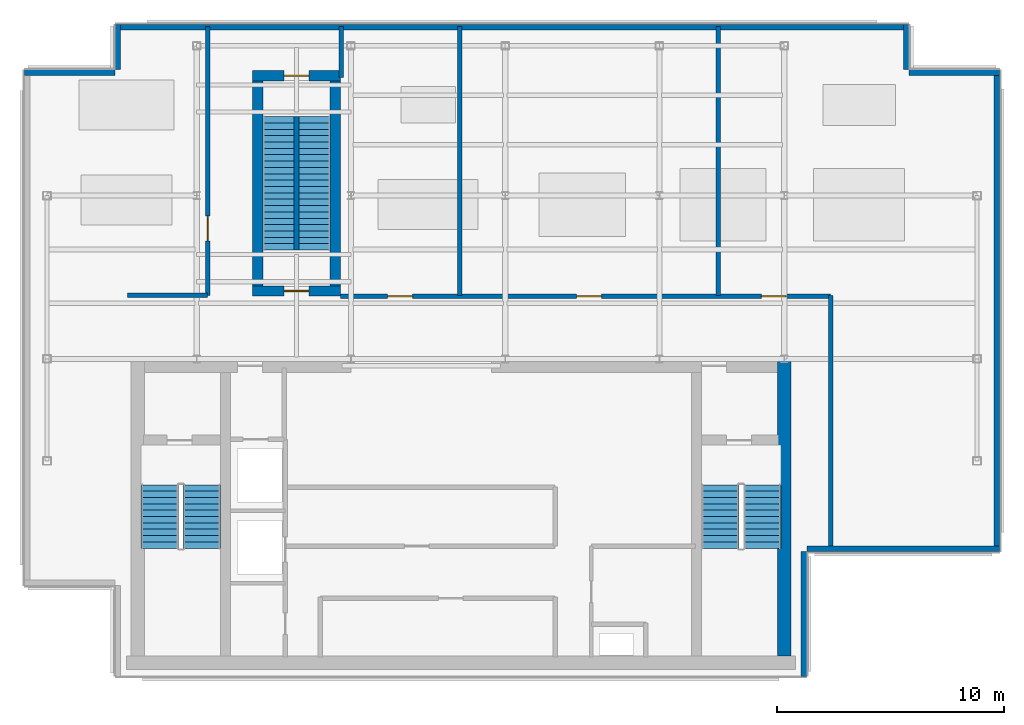
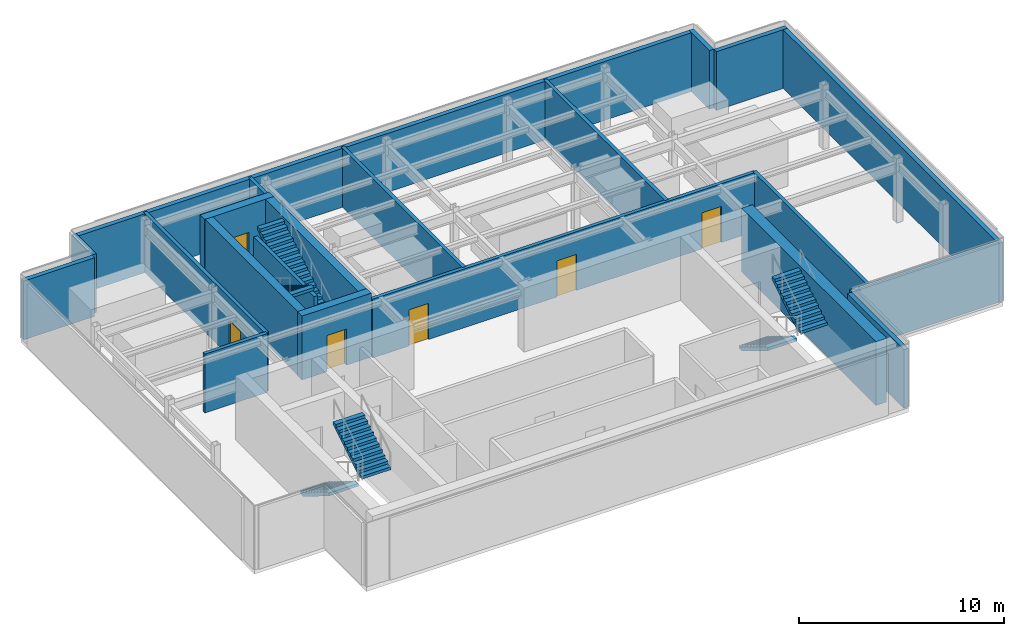
# One storey, part 3 of 7: 21 walls, 6 doors, 6 stair flights, 6 openings, 4 elements without a shape of their own.
"""IFC4 building model written with IfcOpenShell, lengths in metres."""

from ifc_helpers import new_model, si_unit, derived_unit, direction, frame, frame_2d, origin, place, context, subcontext, project, spatial, polyline, rectangle, outline, extrude, source, transform, mapped, material, layer, layer_set, type_object, element, fill, aggregate, save


model = new_model("IFC4")

# Units and contexts
model_context = context("Model", 3, precision=1e-05, world=origin(), true_north=direction((0.0, 1.0)))
body_context = subcontext(model_context, "Body", "Model", "MODEL_VIEW")
ifc_project = project(units=[si_unit("LENGTHUNIT", "METRE"), si_unit("AREAUNIT", "SQUARE_METRE"), si_unit("VOLUMEUNIT", "CUBIC_METRE"), si_unit("PLANEANGLEUNIT", "RADIAN"), si_unit("MASSUNIT", "GRAM", prefix="KILO"), derived_unit("THERMALTRANSMITTANCEUNIT", [(si_unit("POWERUNIT", "WATT"), 1), (si_unit("LENGTHUNIT", "METRE"), -2), (si_unit("THERMODYNAMICTEMPERATUREUNIT", "KELVIN"), -1)])], contexts=[model_context])

# Site, building, storey
site_placement = place(None, origin())
site = spatial("IfcSite", under=ifc_project, at=site_placement, CompositionType="ELEMENT")
building_placement = place(site_placement, origin())
building = spatial("IfcBuilding", under=site, at=building_placement, Name="Skarnbrae Concourse Arena and Tower", CompositionType="ELEMENT")
storey_placement = place(building_placement, frame((0.0, 0.0, 303.64990234375)))
storey = spatial("IfcBuildingStorey", under=building, at=storey_placement, Name="L79", CompositionType="ELEMENT", Elevation=303.64990234375)

# Walls
ifc_material_1 = material(Name="Concrete 50 MPa (C50/60)", Category="concrete")
ifc_layer_1 = layer(ifc_material_1, 0.60009765625)
ifc_layer_set_1 = layer_set([ifc_layer_1], Name="Concrete 50 MPa (C50/60)")
wall_type_1 = type_object("IfcWallType", Name="WALL-CORE-600-C50", PredefinedType="SHEAR", material=ifc_layer_set_1)
shared_shape_1 = source(origin(), body_context, "Body", "SweptSolid", [
    extrude(rectangle(XDim=13.10009765625, YDim=0.60009765625, at=frame_2d((6.550048828125, 0.0))), origin(), (0.0, 0.0, 1.0), 3.800048828125),
])
wall_1_placement = place(storey_placement, frame((33.5, 0.89990234375, 0.0), z_axis=(0.0, 0.0, 1.0), x_axis=(0.0, 1.0, 0.0)))
element("IfcWall", 1, at=wall_1_placement, inside=storey, type_object=wall_type_1, Name="L79 Rear core shear wall CW-E", PredefinedType="SHEAR", context=body_context, shape_type="MappedRepresentation", body=[
    mapped(shared_shape_1, transform((0.0, 0.0, 0.0))),
])
ifc_material_2 = material(Name="Precast concrete 40 MPa (C40/50)", Category="concrete")
ifc_layer_2 = layer(ifc_material_2, 0.25)
ifc_layer_set_2 = layer_set([ifc_layer_2], Name="Precast concrete 40 MPa (C40/50)")
wall_type_2 = type_object("IfcWallType", Name="WALL-CROWN-BRONZE-250", PredefinedType="STANDARD", material=ifc_layer_set_2)
shared_shape_2 = source(origin(), body_context, "Body", "SweptSolid", [
    extrude(rectangle(XDim=5.5, YDim=0.25, at=frame_2d((2.75, 0.0))), origin(), (0.0, 0.0, 1.0), 3.5),
])
wall_2_placement = place(storey_placement, frame((34.375, 0.0, 0.0), z_axis=(0.0, 0.0, 1.0), x_axis=(0.0, 1.0, 0.0)))
element("IfcWall", 2, at=wall_2_placement, inside=storey, type_object=wall_type_2, Name="L79 Crown enclosure wall 02", PredefinedType="STANDARD", context=body_context, shape_type="MappedRepresentation", body=[
    mapped(shared_shape_2, transform((0.0, 0.0, 0.0))),
])
shared_shape_3 = source(origin(), body_context, "Body", "SweptSolid", [
    extrude(rectangle(XDim=8.5, YDim=0.25, at=frame_2d((4.25, 0.0))), origin(), (0.0, 0.0, 1.0), 3.5),
])
wall_3_placement = place(storey_placement, frame((34.5, 5.625, 0.0), z_axis=(0.0, 0.0, 1.0), x_axis=(1.0, 0.0, 0.0)))
element("IfcWall", 3, at=wall_3_placement, inside=storey, type_object=wall_type_2, Name="L79 Crown enclosure wall 03", PredefinedType="STANDARD", context=body_context, shape_type="MappedRepresentation", body=[
    mapped(shared_shape_3, transform((0.0, 0.0, 0.0))),
])
shared_shape_4 = source(origin(), body_context, "Body", "SweptSolid", [
    extrude(rectangle(XDim=21.25, YDim=0.25, at=frame_2d((10.625, 0.0))), origin(), (0.0, 0.0, 1.0), 3.5),
])
wall_4_placement = place(storey_placement, frame((42.875, 5.5, 0.0), z_axis=(0.0, 0.0, 1.0), x_axis=(0.0, 1.0, 0.0)))
element("IfcWall", 4, at=wall_4_placement, inside=storey, type_object=wall_type_2, Name="L79 Crown enclosure wall 04", PredefinedType="STANDARD", context=body_context, shape_type="MappedRepresentation", body=[
    mapped(shared_shape_4, transform((0.0, 0.0, 0.0))),
])
shared_shape_5 = source(origin(), body_context, "Body", "SweptSolid", [
    extrude(rectangle(XDim=4.0, YDim=0.25, at=frame_2d((2.0, 0.0))), origin(), (0.0, 0.0, 1.0), 3.5),
])
for number, where, z_axis, x_axis, name in (
    (5, (43.0, 26.625, 0.0), (0.0, 0.0, 1.0), (-1.0, 0.0, 0.0), "L79 Crown enclosure wall 05"),
    (6, (4.0, 26.625, 0.0), (0.0, 0.0, 1.0), (-1.0, 0.0, 0.0), "L79 Crown enclosure wall 09"),
):
    element("IfcWall", number, at=place(storey_placement, frame(where, z_axis=z_axis, x_axis=x_axis)), inside=storey, type_object=wall_type_2, Name=name, PredefinedType="STANDARD", context=body_context, shape_type="MappedRepresentation", body=[
        mapped(shared_shape_5, transform((0.0, 0.0, 0.0))),
    ])
shared_shape_6 = source(origin(), body_context, "Body", "SweptSolid", [
    extrude(rectangle(XDim=2.0, YDim=0.25, at=frame_2d((1.0, 0.0))), origin(), (0.0, 0.0, 1.0), 3.5),
])
for number, where, z_axis, x_axis, name in (
    (7, (38.875, 26.75, 0.0), (0.0, 0.0, 1.0), (0.0, 1.0, 0.0), "L79 Crown enclosure wall 06"),
    (8, (4.125, 28.75, 0.0), (0.0, 0.0, 1.0), (0.0, -1.0, 0.0), "L79 Crown enclosure wall 08"),
):
    element("IfcWall", number, at=place(storey_placement, frame(where, z_axis=z_axis, x_axis=x_axis)), inside=storey, type_object=wall_type_2, Name=name, PredefinedType="STANDARD", context=body_context, shape_type="MappedRepresentation", body=[
        mapped(shared_shape_6, transform((0.0, 0.0, 0.0))),
    ])
shared_shape_7 = source(origin(), body_context, "Body", "SweptSolid", [
    extrude(rectangle(XDim=35.0, YDim=0.25, at=frame_2d((17.5, 0.0))), origin(), (0.0, 0.0, 1.0), 3.5),
])
wall_5_placement = place(storey_placement, frame((39.0, 28.625, 0.0), z_axis=(0.0, 0.0, 1.0), x_axis=(-1.0, 0.0, 0.0)))
element("IfcWall", 9, at=wall_5_placement, inside=storey, type_object=wall_type_2, Name="L79 Crown enclosure wall 07", PredefinedType="STANDARD", context=body_context, shape_type="MappedRepresentation", body=[
    mapped(shared_shape_7, transform((0.0, 0.0, 0.0))),
])

# Wall, opening, door
ifc_layer_3 = layer(ifc_material_1, 0.449951171875)
ifc_layer_set_3 = layer_set([ifc_layer_3], Name="Concrete 50 MPa (C50/60)")
wall_type_3 = type_object("IfcWallType", Name="WALL-CORE-450-C50", PredefinedType="SHEAR", material=ifc_layer_set_3)
shared_shape_8 = source(origin(), body_context, "Body", "SweptSolid", [
    extrude(rectangle(XDim=3.89990234375, YDim=0.449951171875, at=frame_2d((1.949951171875, 0.0))), origin(), (0.0, 0.0, 1.0), 3.800048828125),
])
wall_6_placement = place(storey_placement, frame((10.050048828125, 16.9951171875, 0.0), z_axis=(0.0, 0.0, 1.0), x_axis=(1.0, 0.0, 0.0)))
wall_6 = element("IfcWall", 10, at=wall_6_placement, inside=storey, type_object=wall_type_3, Name="L79 Protected stair shaft wall ST-CRWN-S", PredefinedType="SHEAR", context=body_context, shape_type="MappedRepresentation", body=[
    mapped(shared_shape_8, transform((0.0, 0.0, 0.0))),
])
opening_1_placement = place(wall_6_placement, frame((1.39990234375, 0.0, 0.0)))
opening_1 = element("IfcOpeningElement", 11, at=opening_1_placement, cuts=wall_6, Name="Opening DT-03", PredefinedType="OPENING", context=body_context, shape_type="SweptSolid", body=[
    extrude(rectangle(XDim=1.10009765625, YDim=2.14990234375, at=frame_2d((0.550048828125, 1.074951171875))), frame((0.0, 0.23486328125, 0.0), z_axis=(0.0, -1.0, 0.0), x_axis=(1.0, 0.0, 0.0)), (0.0, 0.0, 1.0), 0.469970703125),
])
ifc_material_3 = material(Name="Steel CSA G40.21 350W", Category="steel")
door_type = type_object("IfcDoorType", Name="DOOR-FIRE-1100-90M", OperationType="NOTDEFINED", PredefinedType="DOOR", material=ifc_material_3)
shared_shape_9 = source(origin(), body_context, "Body", "SweptSolid", [
    extrude(rectangle(XDim=1.10009765625, YDim=2.14990234375, at=frame_2d((0.550048828125, 1.074951171875))), frame((0.0, 0.02490234375, 0.0), z_axis=(0.0, -1.0, 0.0), x_axis=(1.0, 0.0, 0.0)), (0.0, 0.0, 1.0), 0.050048828125),
])
door_1_placement = place(opening_1_placement, origin())
door_1 = element("IfcDoor", 12, at=door_1_placement, inside=storey, type_object=door_type, Name="D-2352 Exit Stair ST-CRWN Door", OperationType="SINGLE_SWING_RIGHT", OverallHeight=2.14990234375, OverallWidth=1.10009765625, PredefinedType="DOOR", context=body_context, shape_type="MappedRepresentation", body=[
    mapped(shared_shape_9, transform((0.0, 0.0, 0.0))),
])
fill(opening_1, door_1)

wall_7_placement = place(storey_placement, frame((10.050048828125, 26.485107421875, 0.0), z_axis=(0.0, 0.0, 1.0), x_axis=(1.0, 0.0, 0.0)))
wall_7 = element("IfcWall", 13, at=wall_7_placement, inside=storey, type_object=wall_type_3, Name="L79 Protected stair shaft wall ST-CRWN-N", PredefinedType="SHEAR", context=body_context, shape_type="MappedRepresentation", body=[
    mapped(shared_shape_8, transform((0.0, 0.0, 0.0))),
])
opening_2_placement = place(wall_7_placement, frame((1.39990234375, 0.0, 0.0)))
opening_2 = element("IfcOpeningElement", 14, at=opening_2_placement, cuts=wall_7, Name="Opening DT-03", PredefinedType="OPENING", context=body_context, shape_type="SweptSolid", body=[
    extrude(rectangle(XDim=1.10009765625, YDim=2.14990234375, at=frame_2d((0.550048828125, 1.074951171875))), frame((0.0, 0.23486328125, 0.0), z_axis=(0.0, -1.0, 0.0), x_axis=(1.0, 0.0, 0.0)), (0.0, 0.0, 1.0), 0.469970703125),
])
door_2_placement = place(opening_2_placement, frame((1.10009765625, 0.0, 0.0), z_axis=(0.0, 0.0, 1.0), x_axis=(-1.0, 0.0, 0.0)))
door_2 = element("IfcDoor", 15, at=door_2_placement, inside=storey, type_object=door_type, Name="D-2353 Exit Stair ST-CRWN North Door", OperationType="SINGLE_SWING_RIGHT", OverallHeight=2.14990234375, OverallWidth=1.10009765625, PredefinedType="DOOR", context=body_context, shape_type="MappedRepresentation", body=[
    mapped(shared_shape_9, transform((0.0, 0.0, 0.0))),
])
fill(opening_2, door_2)

# Walls
shared_shape_10 = source(origin(), body_context, "Body", "SweptSolid", [
    extrude(rectangle(XDim=9.080078125, YDim=0.449951171875, at=frame_2d((4.5400390625, 0.0))), origin(), (0.0, 0.0, 1.0), 3.800048828125),
])
for number, where, z_axis, x_axis, name in (
    (16, (10.294921875, 17.199951171875, 0.0), (0.0, 0.0, 1.0), (0.0, 1.0, 0.0), "L79 Protected stair shaft wall ST-CRWN-W"),
    (17, (13.705078125, 17.199951171875, 0.0), (0.0, 0.0, 1.0), (0.0, 1.0, 0.0), "L79 Protected stair shaft wall ST-CRWN-E"),
):
    element("IfcWall", number, at=place(storey_placement, frame(where, z_axis=z_axis, x_axis=x_axis)), inside=storey, type_object=wall_type_3, Name=name, PredefinedType="SHEAR", context=body_context, shape_type="MappedRepresentation", body=[
        mapped(shared_shape_10, transform((0.0, 0.0, 0.0))),
    ])
ifc_material_4 = material(Name="Gypsum board on cold-formed steel studs", Category="steel")
ifc_layer_4 = layer(ifc_material_4, 0.199951171875)
ifc_layer_set_4 = layer_set([ifc_layer_4], Name="Gypsum board on cold-formed steel studs")
wall_type_4 = type_object("IfcWallType", Name="WALL-PART-200-2HR", PredefinedType="PARTITIONING", material=ifc_layer_set_4)
shared_shape_11 = source(origin(), body_context, "Body", "SweptSolid", [
    extrude(rectangle(XDim=5.8798828125, YDim=0.199951171875, at=frame_2d((2.93994140625, 0.0))), origin(), (0.0, 0.0, 1.0), 3.080078125),
])
wall_8_placement = place(storey_placement, frame((12.0, 18.800048828125, 0.0), z_axis=(0.0, 0.0, 1.0), x_axis=(0.0, 1.0, 0.0)))
element("IfcWall", 18, at=wall_8_placement, inside=storey, type_object=wall_type_4, Name="L79 Scissor stair dividing wall ST-CRWN", PredefinedType="PARTITIONING", context=body_context, shape_type="MappedRepresentation", body=[
    mapped(shared_shape_11, transform((0.0, 0.0, 0.0))),
])

# Wall, opening, door
shared_shape_12 = source(origin(), body_context, "Body", "SweptSolid", [
    extrude(rectangle(XDim=11.849853515625, YDim=0.199951171875, at=frame_2d((5.9248046875, 0.0))), origin(), (0.0, 0.0, 1.0), 3.5),
])
wall_9_placement = place(storey_placement, frame((8.080078125, 16.800048828125, 0.0), z_axis=(0.0, 0.0, 1.0), x_axis=(0.0, 1.0, 0.0)))
wall_9 = element("IfcWall", 19, at=wall_9_placement, inside=storey, type_object=wall_type_4, Name="L79 Interior partition wall W-L79-CW1", PredefinedType="PARTITIONING", context=body_context, shape_type="MappedRepresentation", body=[
    mapped(shared_shape_12, transform((0.0, 0.0, 0.0))),
])
opening_3_placement = place(wall_9_placement, frame((2.39990234375, 0.0, 0.0)))
opening_3 = element("IfcOpeningElement", 20, at=opening_3_placement, cuts=wall_9, Name="Opening DT-03", PredefinedType="OPENING", context=body_context, shape_type="SweptSolid", body=[
    extrude(rectangle(XDim=1.10009765625, YDim=2.14990234375, at=frame_2d((0.550048828125, 1.074951171875))), frame((0.0, 0.10986328125, 0.0), z_axis=(0.0, -1.0, 0.0), x_axis=(1.0, 0.0, 0.0)), (0.0, 0.0, 1.0), 0.219970703125),
])
door_3_placement = place(opening_3_placement, frame((1.10009765625, 0.0, 0.0), z_axis=(0.0, 0.0, 1.0), x_axis=(-1.0, 0.0, 0.0)))
door_3 = element("IfcDoor", 21, at=door_3_placement, inside=storey, type_object=door_type, Name="D-2348 L79 West Plant Door", OperationType="SINGLE_SWING_LEFT", OverallHeight=2.14990234375, OverallWidth=1.10009765625, PredefinedType="DOOR", context=body_context, shape_type="MappedRepresentation", body=[
    mapped(shared_shape_9, transform((0.0, 0.0, 0.0))),
])
fill(opening_3, door_3)

# Walls
for number, where, z_axis, x_axis, name in (
    (22, (19.199951171875, 16.800048828125, 0.0), (0.0, 0.0, 1.0), (0.0, 1.0, 0.0), "L79 Interior partition wall W-L79-CM-192"),
    (23, (30.60009765625, 16.800048828125, 0.0), (0.0, 0.0, 1.0), (0.0, 1.0, 0.0), "L79 Interior partition wall W-L79-CM-306"),
):
    element("IfcWall", number, at=place(storey_placement, frame(where, z_axis=z_axis, x_axis=x_axis)), inside=storey, type_object=wall_type_4, Name=name, PredefinedType="PARTITIONING", context=body_context, shape_type="MappedRepresentation", body=[
        mapped(shared_shape_12, transform((0.0, 0.0, 0.0))),
    ])
shared_shape_13 = source(origin(), body_context, "Body", "SweptSolid", [
    extrude(rectangle(XDim=3.530029296875, YDim=0.199951171875, at=frame_2d((1.76513671875, 0.0))), origin(), (0.0, 0.0, 1.0), 3.5),
])
wall_10_placement = place(storey_placement, frame((4.550048828125, 16.800048828125, 0.0), z_axis=(0.0, 0.0, 1.0), x_axis=(1.0, 0.0, 0.0)))
element("IfcWall", 24, at=wall_10_placement, inside=storey, type_object=wall_type_4, Name="L79 Interior partition wall W-L79-CW2", PredefinedType="PARTITIONING", context=body_context, shape_type="MappedRepresentation", body=[
    mapped(shared_shape_13, transform((0.0, 0.0, 0.0))),
])

# Wall, openings, doors
shared_shape_14 = source(origin(), body_context, "Body", "SweptSolid", [
    extrude(rectangle(XDim=21.60009765625, YDim=0.199951171875, at=frame_2d((10.800048828125, 0.0))), origin(), (0.0, 0.0, 1.0), 3.5),
])
wall_11_placement = place(storey_placement, frame((13.949951171875, 16.760009765625, 0.0), z_axis=(0.0, 0.0, 1.0), x_axis=(1.0, 0.0, 0.0)))
wall_11 = element("IfcWall", 25, at=wall_11_placement, inside=storey, type_object=wall_type_4, Name="L79 Interior partition wall W-L79-CE1", PredefinedType="PARTITIONING", context=body_context, shape_type="MappedRepresentation", body=[
    mapped(shared_shape_14, transform((0.0, 0.0, 0.0))),
])
opening_4_placement = place(wall_11_placement, frame((2.070068359375, 0.0, 0.0)))
opening_4 = element("IfcOpeningElement", 26, at=opening_4_placement, cuts=wall_11, Name="Opening DT-03", PredefinedType="OPENING", context=body_context, shape_type="SweptSolid", body=[
    extrude(rectangle(XDim=1.10009765625, YDim=2.14990234375, at=frame_2d((0.550048828125, 1.074951171875))), frame((0.0, 0.10986328125, 0.0), z_axis=(0.0, -1.0, 0.0), x_axis=(1.0, 0.0, 0.0)), (0.0, 0.0, 1.0), 0.219970703125),
])
opening_5_placement = place(wall_11_placement, frame((10.39990234375, 0.0, 0.0)))
opening_5 = element("IfcOpeningElement", 27, at=opening_5_placement, cuts=wall_11, Name="Opening DT-03", PredefinedType="OPENING", context=body_context, shape_type="SweptSolid", body=[
    extrude(rectangle(XDim=1.10009765625, YDim=2.14990234375, at=frame_2d((0.550048828125, 1.074951171875))), frame((0.0, 0.10986328125, 0.0), z_axis=(0.0, -1.0, 0.0), x_axis=(1.0, 0.0, 0.0)), (0.0, 0.0, 1.0), 0.219970703125),
])
opening_6_placement = place(wall_11_placement, frame((18.5400390625, 0.0, 0.0)))
opening_6 = element("IfcOpeningElement", 28, at=opening_6_placement, cuts=wall_11, Name="Opening DT-03", PredefinedType="OPENING", context=body_context, shape_type="SweptSolid", body=[
    extrude(rectangle(XDim=1.10009765625, YDim=2.14990234375, at=frame_2d((0.550048828125, 1.074951171875))), frame((0.0, 0.10986328125, 0.0), z_axis=(0.0, -1.0, 0.0), x_axis=(1.0, 0.0, 0.0)), (0.0, 0.0, 1.0), 0.219970703125),
])
door_4_placement = place(opening_4_placement, origin())
door_4 = element("IfcDoor", 29, at=door_4_placement, inside=storey, type_object=door_type, Name="D-2349 L79 Crown Chiller Mechanical Plant Door", OperationType="SINGLE_SWING_LEFT", OverallHeight=2.14990234375, OverallWidth=1.10009765625, PredefinedType="DOOR", context=body_context, shape_type="MappedRepresentation", body=[
    mapped(shared_shape_9, transform((0.0, 0.0, 0.0))),
])
fill(opening_4, door_4)
door_5_placement = place(opening_5_placement, origin())
door_5 = element("IfcDoor", 30, at=door_5_placement, inside=storey, type_object=door_type, Name="D-2350 L79 Crown Lift Machine Overrun Plant Door", OperationType="SINGLE_SWING_RIGHT", OverallHeight=2.14990234375, OverallWidth=1.10009765625, PredefinedType="DOOR", context=body_context, shape_type="MappedRepresentation", body=[
    mapped(shared_shape_9, transform((0.0, 0.0, 0.0))),
])
fill(opening_5, door_5)
door_6_placement = place(opening_6_placement, origin())
door_6 = element("IfcDoor", 31, at=door_6_placement, inside=storey, type_object=door_type, Name="D-2351 L79 Crown Switchgear Mechanical Plant Door", OperationType="SINGLE_SWING_LEFT", OverallHeight=2.14990234375, OverallWidth=1.10009765625, PredefinedType="DOOR", context=body_context, shape_type="MappedRepresentation", body=[
    mapped(shared_shape_9, transform((0.0, 0.0, 0.0))),
])
fill(opening_6, door_6)

# Walls
shared_shape_15 = source(origin(), body_context, "Body", "SweptSolid", [
    extrude(rectangle(XDim=2.25, YDim=0.199951171875, at=frame_2d((1.125, 0.0))), origin(), (0.0, 0.0, 1.0), 3.5),
])
wall_12_placement = place(storey_placement, frame((13.97998046875, 26.39990234375, 0.0), z_axis=(0.0, 0.0, 1.0), x_axis=(0.0, 1.0, 0.0)))
element("IfcWall", 32, at=wall_12_placement, inside=storey, type_object=wall_type_4, Name="L79 Interior partition wall W-L79-DN", PredefinedType="PARTITIONING", context=body_context, shape_type="MappedRepresentation", body=[
    mapped(shared_shape_15, transform((0.0, 0.0, 0.0))),
])
shared_shape_16 = source(origin(), body_context, "Body", "SweptSolid", [
    extrude(rectangle(XDim=11.25, YDim=0.199951171875, at=frame_2d((5.625, 0.0))), origin(), (0.0, 0.0, 1.0), 3.5),
])
wall_13_placement = place(storey_placement, frame((35.550048828125, 5.550048828125, 0.0), z_axis=(0.0, 0.0, 1.0), x_axis=(0.0, 1.0, 0.0)))
element("IfcWall", 33, at=wall_13_placement, inside=storey, type_object=wall_type_4, Name="L79 Interior partition wall W-L79-CE2", PredefinedType="PARTITIONING", context=body_context, shape_type="MappedRepresentation", body=[
    mapped(shared_shape_16, transform((0.0, 0.0, 0.0))),
])

# Stair, stair flights
ifc_material_5 = material(Name="Concrete 40 MPa (C40/50)", Category="concrete")
stair_type_1 = type_object("IfcStairType", Name="STAIR-DOGLEG-1650", PredefinedType="HALF_TURN_STAIR", material=ifc_material_5)
stair_1_placement = place(storey_placement, origin())
stair_1 = element("IfcStair", 34, at=stair_1_placement, inside=storey, type_object=stair_type_1, Name="L79 Protected Exit Stair ST-1", PredefinedType="HALF_TURN_STAIR")
stair_flight_type_1 = type_object("IfcStairFlightType", Name="FLIGHT-STRAIGHT-1650", PredefinedType="STRAIGHT", material=ifc_material_5)
shared_shape_17 = source(origin(), body_context, "Body", "SweptSolid", [
    extrude(outline(polyline([(0.0, 0.0), (0.0, 0.172607421875), (0.280029296875, 0.172607421875), (0.280029296875, 0.345458984375), (0.56005859375, 0.345458984375), (0.56005859375, 0.51806640625), (0.840087890625, 0.51806640625), (0.840087890625, 0.69091796875), (1.1201171875, 0.69091796875), (1.1201171875, 0.863525390625), (1.39990234375, 0.863525390625), (1.39990234375, 1.036376953125), (1.679931640625, 1.036376953125), (1.679931640625, 1.208984375), (1.9599609375, 1.208984375), (1.9599609375, 1.3818359375), (2.239990234375, 1.3818359375), (2.239990234375, 1.554443359375), (2.52001953125, 1.554443359375), (2.52001953125, 1.727294921875), (2.800048828125, 1.727294921875), (2.800048828125, 1.89990234375), (2.800048828125, 1.551025390625), (0.285400390625, 0.0), (0.0, 0.0)])), frame((0.0, 0.824951171875, 0.0), z_axis=(0.0, -1.0, 0.0), x_axis=(1.0, 0.0, 0.0)), (0.0, 0.0, 1.0), 1.64990234375),
])
stair_flight_1_placement = place(storey_placement, frame((5.97509765625, 8.449951171875, 0.0), z_axis=(0.0, 0.0, 1.0), x_axis=(0.0, -1.0, 0.0)))
stair_flight_1 = element("IfcStairFlight", 35, at=stair_flight_1_placement, type_object=stair_flight_type_1, Name="ST-1 flight 1", NumberOfRisers=11, NumberOfTreads=10, PredefinedType="STRAIGHT", RiserHeight=0.172727273, TreadLength=0.28, context=body_context, shape_type="MappedRepresentation", body=[
    mapped(shared_shape_17, transform((0.0, 0.0, 0.0))),
])
stair_flight_2_placement = place(storey_placement, frame((7.824951171875, 5.64990234375, 1.900146484375), z_axis=(0.0, 0.0, 1.0), x_axis=(0.0, 1.0, 0.0)))
stair_flight_2 = element("IfcStairFlight", 36, at=stair_flight_2_placement, type_object=stair_flight_type_1, Name="ST-1 flight 2", NumberOfRisers=11, NumberOfTreads=10, PredefinedType="STRAIGHT", RiserHeight=0.172727273, TreadLength=0.28, context=body_context, shape_type="MappedRepresentation", body=[
    mapped(shared_shape_17, transform((0.0, 0.0, 0.0))),
])
aggregate(stair_1, [stair_flight_1, stair_flight_2])

stair_2_placement = place(storey_placement, origin())
stair_2 = element("IfcStair", 37, at=stair_2_placement, inside=storey, type_object=stair_type_1, Name="L79 Protected Exit Stair ST-2", PredefinedType="HALF_TURN_STAIR")
stair_flight_3_placement = place(storey_placement, frame((30.675048828125, 8.449951171875, 0.0), z_axis=(0.0, 0.0, 1.0), x_axis=(0.0, -1.0, 0.0)))
stair_flight_3 = element("IfcStairFlight", 38, at=stair_flight_3_placement, type_object=stair_flight_type_1, Name="ST-2 flight 1", NumberOfRisers=11, NumberOfTreads=10, PredefinedType="STRAIGHT", RiserHeight=0.172727273, TreadLength=0.28, context=body_context, shape_type="MappedRepresentation", body=[
    mapped(shared_shape_17, transform((0.0, 0.0, 0.0))),
])
stair_flight_4_placement = place(storey_placement, frame((32.52490234375, 5.64990234375, 1.900146484375), z_axis=(0.0, 0.0, 1.0), x_axis=(0.0, 1.0, 0.0)))
stair_flight_4 = element("IfcStairFlight", 39, at=stair_flight_4_placement, type_object=stair_flight_type_1, Name="ST-2 flight 2", NumberOfRisers=11, NumberOfTreads=10, PredefinedType="STRAIGHT", RiserHeight=0.172727273, TreadLength=0.28, context=body_context, shape_type="MappedRepresentation", body=[
    mapped(shared_shape_17, transform((0.0, 0.0, 0.0))),
])
aggregate(stair_2, [stair_flight_3, stair_flight_4])

# Stair, stair flight
stair_type_2 = type_object("IfcStairType", Name="STAIR-SCISSOR-1400", PredefinedType="USERDEFINED", material=ifc_material_5)
stair_3_placement = place(storey_placement, origin())
stair_3 = element("IfcStair", 40, at=stair_3_placement, inside=storey, type_object=stair_type_2, Name="L79 Crown Service Scissor Stair B", ObjectType="SCISSOR", PredefinedType="USERDEFINED")
stair_flight_type_2 = type_object("IfcStairFlightType", Name="FLIGHT-STRAIGHT-1400", PredefinedType="STRAIGHT", material=ifc_material_5)
shared_shape_18 = source(origin(), body_context, "Body", "SweptSolid", [
    extrude(outline(polyline([(0.0, 0.0), (0.0, 0.172607421875), (0.280029296875, 0.172607421875), (0.280029296875, 0.345458984375), (0.56005859375, 0.345458984375), (0.56005859375, 0.51806640625), (0.840087890625, 0.51806640625), (0.840087890625, 0.69091796875), (1.1201171875, 0.69091796875), (1.1201171875, 0.863525390625), (1.39990234375, 0.863525390625), (1.39990234375, 1.036376953125), (1.679931640625, 1.036376953125), (1.679931640625, 1.208984375), (1.9599609375, 1.208984375), (1.9599609375, 1.3818359375), (2.239990234375, 1.3818359375), (2.239990234375, 1.554443359375), (2.52001953125, 1.554443359375), (2.52001953125, 1.727294921875), (2.800048828125, 1.727294921875), (2.800048828125, 1.89990234375), (3.080078125, 1.89990234375), (3.080078125, 2.07275390625), (3.360107421875, 2.07275390625), (3.360107421875, 2.245361328125), (3.639892578125, 2.245361328125), (3.639892578125, 2.418212890625), (3.919921875, 2.418212890625), (3.919921875, 2.5908203125), (4.199951171875, 2.5908203125), (4.199951171875, 2.763671875), (4.47998046875, 2.763671875), (4.47998046875, 2.936279296875), (4.760009765625, 2.936279296875), (4.760009765625, 3.109130859375), (5.0400390625, 3.109130859375), (5.0400390625, 3.28173828125), (5.320068359375, 3.28173828125), (5.320068359375, 3.45458984375), (5.60009765625, 3.45458984375), (5.60009765625, 3.627197265625), (5.8798828125, 3.627197265625), (5.8798828125, 3.800048828125), (5.8798828125, 3.451171875), (0.285400390625, 0.0), (0.0, 0.0)])), frame((0.0, 0.699951171875, 0.0), z_axis=(0.0, -1.0, 0.0), x_axis=(1.0, 0.0, 0.0)), (0.0, 0.0, 1.0), 1.39990234375),
])
stair_flight_5_placement = place(storey_placement, frame((12.800048828125, 18.800048828125, 0.0), z_axis=(0.0, 0.0, 1.0), x_axis=(0.0, 1.0, 0.0)))
stair_flight_5 = element("IfcStairFlight", 41, at=stair_flight_5_placement, type_object=stair_flight_type_2, Name="ST-CRWNB flight 1", NumberOfRisers=22, NumberOfTreads=21, PredefinedType="STRAIGHT", RiserHeight=0.172727273, TreadLength=0.28, context=body_context, shape_type="MappedRepresentation", body=[
    mapped(shared_shape_18, transform((0.0, 0.0, 0.0))),
])
aggregate(stair_3, [stair_flight_5])

stair_4_placement = place(storey_placement, origin())
stair_4 = element("IfcStair", 42, at=stair_4_placement, inside=storey, type_object=stair_type_2, Name="L79 Crown Service Scissor Stair A", ObjectType="SCISSOR", PredefinedType="USERDEFINED")
stair_flight_6_placement = place(storey_placement, frame((11.199951171875, 24.679931640625, 0.0), z_axis=(0.0, 0.0, 1.0), x_axis=(0.0, -1.0, 0.0)))
stair_flight_6 = element("IfcStairFlight", 43, at=stair_flight_6_placement, type_object=stair_flight_type_2, Name="ST-CRWNA flight 1", NumberOfRisers=22, NumberOfTreads=21, PredefinedType="STRAIGHT", RiserHeight=0.172727273, TreadLength=0.28, context=body_context, shape_type="MappedRepresentation", body=[
    mapped(shared_shape_18, transform((0.0, 0.0, 0.0))),
])
aggregate(stair_4, [stair_flight_6])

save(model, "model.ifc")
